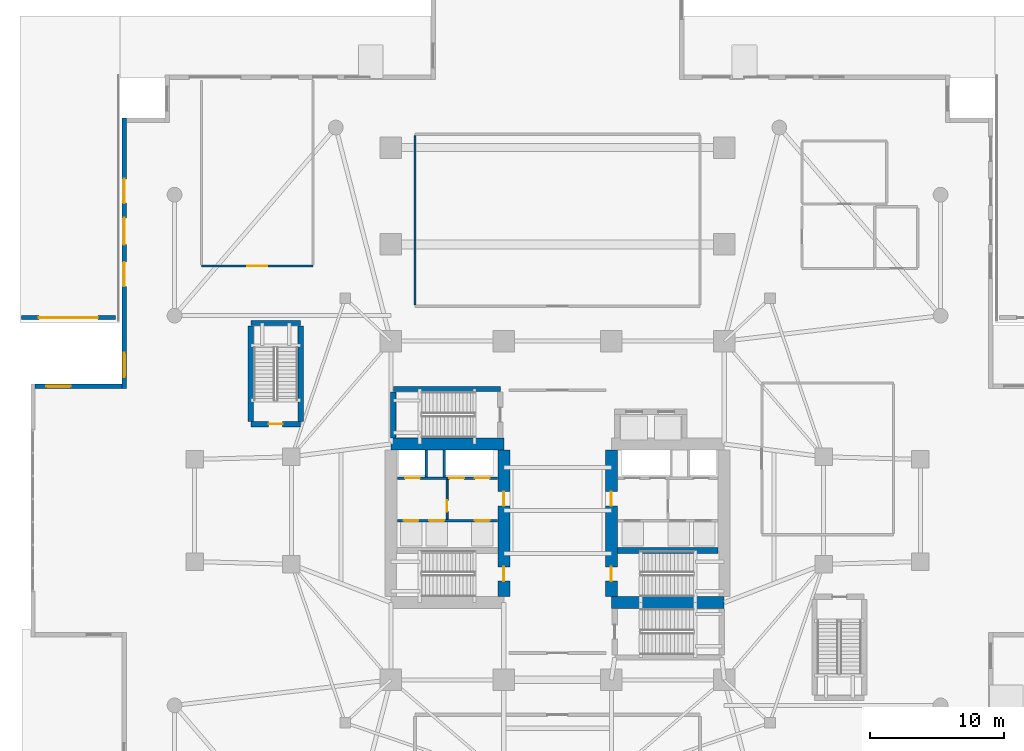
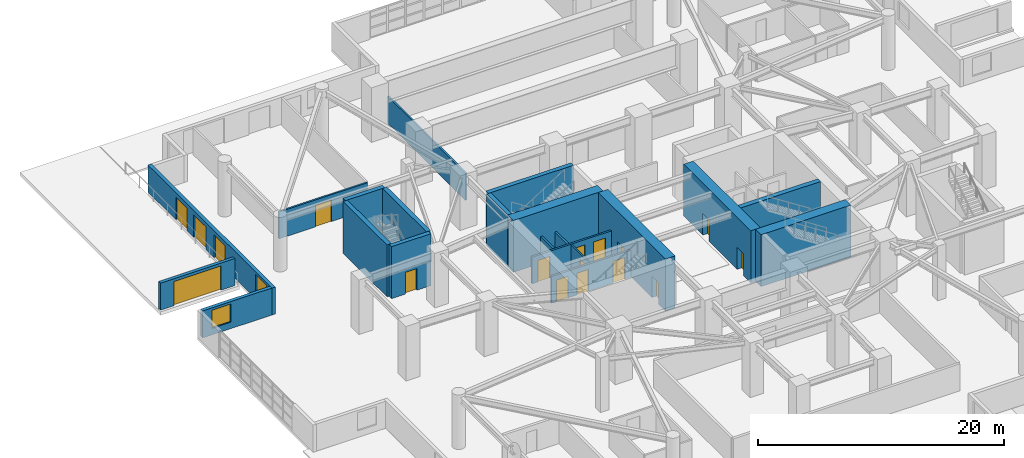
# One storey, part 14 of 24: 21 walls, 17 doors, 2 windows, 19 openings.
"""IFC4 building model written with IfcOpenShell, lengths in metres."""

from ifc_helpers import new_model, si_unit, direction, frame, frame_2d, origin, place, context, subcontext, project, spatial, rectangle, extrude, material, layer, layer_set, type_object, element, fill, save


model = new_model("IFC4")

# Units and contexts
model_context = context("Model", 3, precision=1e-05, world=origin(), true_north=direction((0.0, 1.0)))
body_context = subcontext(model_context, "Body", "Model", "MODEL_VIEW")
ifc_project = project(units=[si_unit("LENGTHUNIT", "METRE"), si_unit("AREAUNIT", "SQUARE_METRE"), si_unit("VOLUMEUNIT", "CUBIC_METRE"), si_unit("PLANEANGLEUNIT", "RADIAN"), si_unit("MASSUNIT", "GRAM", prefix="KILO")], contexts=[model_context])

# Site, building, storey
site_placement = place(None, origin())
site = spatial("IfcSite", under=ifc_project, at=site_placement, CompositionType="ELEMENT")
building_placement = place(site_placement, origin())
building = spatial("IfcBuilding", under=site, at=building_placement, Name="Qingluan Cross Belvedere", CompositionType="ELEMENT")
storey_placement = place(building_placement, origin())
storey = spatial("IfcBuildingStorey", under=building, at=storey_placement, Name="L01", CompositionType="ELEMENT", Elevation=0.0)

# Walls
ifc_material_1 = material(Name="Concrete C50", Category="concrete")
ifc_layer_1 = layer(ifc_material_1, 0.449951171875, Name="CoreShearWall_450")
ifc_layer_set_1 = layer_set([ifc_layer_1], Name="Concrete C50")
wall_type_1 = type_object("IfcWallType", Name="CoreShearWall_450", PredefinedType="SHEAR", material=ifc_layer_set_1)
wall_1_placement = place(storey_placement, frame((4.455078125, -2.9599609375, 0.0), z_axis=(0.0, 0.0, 1.0), x_axis=(1.0, 0.0, 0.0)))
element("IfcWall", 1, at=wall_1_placement, inside=storey, type_object=wall_type_1, Name="Split core E shear wall L01-M", PredefinedType="SHEAR", context=body_context, shape_type="SweptSolid", body=[
    extrude(rectangle(XDim=7.489990234375, YDim=0.449951171875, at=frame_2d((3.7451171875, 0.0))), origin(), (0.0, 0.0, 1.0), 5.14990234375),
])
wall_2_placement = place(storey_placement, frame((-12.219970703125, 9.0400390625, 0.0), z_axis=(0.0, 0.0, 1.0), x_axis=(1.0, 0.0, 0.0)))
element("IfcWall", 2, at=wall_2_placement, inside=storey, type_object=wall_type_1, Name="Stair ST3 structural wall N L01", PredefinedType="SHEAR", context=body_context, shape_type="SweptSolid", body=[
    extrude(rectangle(XDim=7.9599609375, YDim=0.39990234375, at=frame_2d((3.97998046875, 0.0))), origin(), (0.0, 0.0, 1.0), 5.14990234375),
])
wall_3_placement = place(storey_placement, frame((-12.219970703125, 5.405029296875, 0.0), z_axis=(0.0, 0.0, 1.0), x_axis=(0.0, 1.0, 0.0)))
element("IfcWall", 3, at=wall_3_placement, inside=storey, type_object=wall_type_1, Name="Stair ST3 structural wall W L01", PredefinedType="SHEAR", context=body_context, shape_type="SweptSolid", body=[
    extrude(rectangle(XDim=3.429931640625, YDim=0.39990234375, at=frame_2d((1.71484375, 0.0))), origin(), (0.0, 0.0, 1.0), 5.14990234375),
])
wall_4_placement = place(storey_placement, frame((-22.820068359375, 13.949951171875, 0.0), z_axis=(0.0, 0.0, 1.0), x_axis=(1.0, 0.0, 0.0)))
element("IfcWall", 4, at=wall_4_placement, inside=storey, type_object=wall_type_1, Name="Stair ST5 structural wall N L01", PredefinedType="SHEAR", context=body_context, shape_type="SweptSolid", body=[
    extrude(rectangle(XDim=3.699951171875, YDim=0.39990234375, at=frame_2d((1.85009765625, 0.0))), origin(), (0.0, 0.0, 1.0), 5.14990234375),
])

# Wall, opening, door
wall_5_placement = place(storey_placement, frame((-22.820068359375, 6.429931640625, 0.0), z_axis=(0.0, 0.0, 1.0), x_axis=(1.0, 0.0, 0.0)))
wall_5 = element("IfcWall", 5, at=wall_5_placement, inside=storey, type_object=wall_type_1, Name="Stair ST5 structural wall S L01", PredefinedType="SHEAR", context=body_context, shape_type="SweptSolid", body=[
    extrude(rectangle(XDim=3.699951171875, YDim=0.39990234375, at=frame_2d((1.85009765625, 0.0))), origin(), (0.0, 0.0, 1.0), 5.14990234375),
])
opening_1_placement = place(wall_5_placement, frame((1.320068359375, 0.0, 0.0)))
opening_1 = element("IfcOpeningElement", 6, at=opening_1_placement, cuts=wall_5, Name="Opening FD-B11", PredefinedType="OPENING", context=body_context, shape_type="SweptSolid", body=[
    extrude(rectangle(XDim=1.050048828125, YDim=2.14990234375, at=frame_2d((0.52490234375, 1.074951171875))), frame((0.0, 0.2099609375, 0.0), z_axis=(0.0, -1.0, 0.0), x_axis=(1.0, 0.0, 0.0)), (0.0, 0.0, 1.0), 0.419921875),
])
ifc_material_2 = material(Name="Steel Class B smoke-seal fire door", Category="steel")
door_type_1 = type_object("IfcDoorType", Name="StairLobbyFireDoor_FDB", OperationType="NOTDEFINED", PredefinedType="DOOR", material=ifc_material_2)
door_1_placement = place(opening_1_placement, origin())
door_1 = element("IfcDoor", 7, at=door_1_placement, inside=storey, type_object=door_type_1, Name="Podium stair ST5 smoke-proof fire door L01", OperationType="SINGLE_SWING_RIGHT", OverallHeight=2.14990234375, OverallWidth=1.050048828125, PredefinedType="DOOR", context=body_context, shape_type="SweptSolid", body=[
    extrude(rectangle(XDim=1.050048828125, YDim=2.14990234375, at=frame_2d((0.52490234375, 1.074951171875))), frame((0.0, 0.02490234375, 0.0), z_axis=(0.0, -1.0, 0.0), x_axis=(1.0, 0.0, 0.0)), (0.0, 0.0, 1.0), 0.050048828125),
])
fill(opening_1, door_1)

# Walls
for number, where, z_axis, x_axis, name in (
    (8, (-22.820068359375, 6.635009765625, 0.0), (0.0, 0.0, 1.0), (0.0, 1.0, 0.0), "Stair ST5 structural wall W L01"),
    (9, (-19.1201171875, 6.635009765625, 0.0), (0.0, 0.0, 1.0), (0.0, 1.0, 0.0), "Stair ST5 structural wall E L01"),
):
    element("IfcWall", number, at=place(storey_placement, frame(where, z_axis=z_axis, x_axis=x_axis)), inside=storey, type_object=wall_type_1, Name=name, PredefinedType="SHEAR", context=body_context, shape_type="SweptSolid", body=[
        extrude(rectangle(XDim=7.110107421875, YDim=0.39990234375, at=frame_2d((3.55517578125, 0.0))), origin(), (0.0, 0.0, 1.0), 5.14990234375),
    ])
ifc_material_3 = material(Name="Concrete C70", Category="concrete")
ifc_layer_2 = layer(ifc_material_3, 0.89990234375, Name="CoreShearWall_900")
ifc_layer_set_2 = layer_set([ifc_layer_2], Name="Concrete C70")
wall_type_2 = type_object("IfcWallType", Name="CoreShearWall_900", PredefinedType="SHEAR", material=ifc_layer_set_2)
wall_6_placement = place(storey_placement, frame((-12.39990234375, 4.949951171875, 0.0), z_axis=(0.0, 0.0, 1.0), x_axis=(1.0, 0.0, 0.0)))
element("IfcWall", 10, at=wall_6_placement, inside=storey, type_object=wall_type_2, Name="Split core W shear wall L01-N", PredefinedType="SHEAR", context=body_context, shape_type="SweptSolid", body=[
    extrude(rectangle(XDim=8.39990234375, YDim=0.89990234375, at=frame_2d((4.199951171875, 0.0))), origin(), (0.0, 0.0, 1.0), 5.14990234375),
])

# Wall, openings, doors
wall_7_placement = place(storey_placement, frame((-4.0, -6.39501953125, 0.0), z_axis=(0.0, 0.0, 1.0), x_axis=(0.0, 1.0, 0.0)))
wall_7 = element("IfcWall", 11, at=wall_7_placement, inside=storey, type_object=wall_type_2, Name="Split core W shear wall L01-E", PredefinedType="SHEAR", context=body_context, shape_type="SweptSolid", body=[
    extrude(rectangle(XDim=10.89013671875, YDim=0.89990234375, at=frame_2d((5.445068359375, 0.0))), origin(), (0.0, 0.0, 1.0), 5.14990234375),
])
opening_2_placement = place(wall_7_placement, frame((1.14501953125, 0.0, 0.0)))
opening_2 = element("IfcOpeningElement", 12, at=opening_2_placement, cuts=wall_7, Name="Opening FD-B11", PredefinedType="OPENING", context=body_context, shape_type="SweptSolid", body=[
    extrude(rectangle(XDim=1.050048828125, YDim=2.14990234375, at=frame_2d((0.52490234375, 1.074951171875))), frame((0.0, 0.4599609375, 0.0), z_axis=(0.0, -1.0, 0.0), x_axis=(1.0, 0.0, 0.0)), (0.0, 0.0, 1.0), 0.919921875),
])
opening_3_placement = place(wall_7_placement, frame((6.7451171875, 0.0, 0.0)))
opening_3 = element("IfcOpeningElement", 13, at=opening_3_placement, cuts=wall_7, Name="Opening FD-B11", PredefinedType="OPENING", context=body_context, shape_type="SweptSolid", body=[
    extrude(rectangle(XDim=1.050048828125, YDim=2.14990234375, at=frame_2d((0.52490234375, 1.074951171875))), frame((0.0, 0.4599609375, 0.0), z_axis=(0.0, -1.0, 0.0), x_axis=(1.0, 0.0, 0.0)), (0.0, 0.0, 1.0), 0.919921875),
])
door_2_placement = place(opening_2_placement, origin())
door_2 = element("IfcDoor", 14, at=door_2_placement, inside=storey, type_object=door_type_1, Name="Smoke-proof stair ST1 fire door L01", OperationType="SINGLE_SWING_RIGHT", OverallHeight=2.14990234375, OverallWidth=1.050048828125, PredefinedType="DOOR", context=body_context, shape_type="SweptSolid", body=[
    extrude(rectangle(XDim=1.050048828125, YDim=2.14990234375, at=frame_2d((0.52490234375, 1.074951171875))), frame((0.0, 0.02490234375, 0.0), z_axis=(0.0, -1.0, 0.0), x_axis=(1.0, 0.0, 0.0)), (0.0, 0.0, 1.0), 0.050048828125),
])
fill(opening_2, door_2)
door_3_placement = place(opening_3_placement, origin())
door_3 = element("IfcDoor", 15, at=door_3_placement, inside=storey, type_object=door_type_1, Name="Firefighting lobby West fire door L01", OperationType="SINGLE_SWING_RIGHT", OverallHeight=2.14990234375, OverallWidth=1.050048828125, PredefinedType="DOOR", context=body_context, shape_type="SweptSolid", body=[
    extrude(rectangle(XDim=1.050048828125, YDim=2.14990234375, at=frame_2d((0.52490234375, 1.074951171875))), frame((0.0, 0.02490234375, 0.0), z_axis=(0.0, -1.0, 0.0), x_axis=(1.0, 0.0, 0.0)), (0.0, 0.0, 1.0), 0.050048828125),
])
fill(opening_3, door_3)

# Wall
wall_8_placement = place(storey_placement, frame((4.0, -6.85009765625, 0.0), z_axis=(0.0, 0.0, 1.0), x_axis=(1.0, 0.0, 0.0)))
element("IfcWall", 16, at=wall_8_placement, inside=storey, type_object=wall_type_2, Name="Split core E shear wall L01-S", PredefinedType="SHEAR", context=body_context, shape_type="SweptSolid", body=[
    extrude(rectangle(XDim=8.39990234375, YDim=0.89990234375, at=frame_2d((4.199951171875, 0.0))), origin(), (0.0, 0.0, 1.0), 5.14990234375),
])

# Wall, openings, doors
wall_9_placement = place(storey_placement, frame((4.0, -6.39501953125, 0.0), z_axis=(0.0, 0.0, 1.0), x_axis=(0.0, 1.0, 0.0)))
wall_9 = element("IfcWall", 17, at=wall_9_placement, inside=storey, type_object=wall_type_2, Name="Split core E shear wall L01-W", PredefinedType="SHEAR", context=body_context, shape_type="SweptSolid", body=[
    extrude(rectangle(XDim=10.89013671875, YDim=0.89990234375, at=frame_2d((5.445068359375, 0.0))), origin(), (0.0, 0.0, 1.0), 5.14990234375),
])
opening_4_placement = place(wall_9_placement, frame((1.14501953125, 0.0, 0.0)))
opening_4 = element("IfcOpeningElement", 18, at=opening_4_placement, cuts=wall_9, Name="Opening FD-B11", PredefinedType="OPENING", context=body_context, shape_type="SweptSolid", body=[
    extrude(rectangle(XDim=1.050048828125, YDim=2.14990234375, at=frame_2d((0.52490234375, 1.074951171875))), frame((0.0, 0.4599609375, 0.0), z_axis=(0.0, -1.0, 0.0), x_axis=(1.0, 0.0, 0.0)), (0.0, 0.0, 1.0), 0.919921875),
])
opening_5_placement = place(wall_9_placement, frame((6.7451171875, 0.0, 0.0)))
opening_5 = element("IfcOpeningElement", 19, at=opening_5_placement, cuts=wall_9, Name="Opening FD-B11", PredefinedType="OPENING", context=body_context, shape_type="SweptSolid", body=[
    extrude(rectangle(XDim=1.050048828125, YDim=2.14990234375, at=frame_2d((0.52490234375, 1.074951171875))), frame((0.0, 0.4599609375, 0.0), z_axis=(0.0, -1.0, 0.0), x_axis=(1.0, 0.0, 0.0)), (0.0, 0.0, 1.0), 0.919921875),
])
door_4_placement = place(opening_4_placement, origin())
door_4 = element("IfcDoor", 20, at=door_4_placement, inside=storey, type_object=door_type_1, Name="Smoke-proof stair ST2 fire door L01", OperationType="SINGLE_SWING_LEFT", OverallHeight=2.14990234375, OverallWidth=1.050048828125, PredefinedType="DOOR", context=body_context, shape_type="SweptSolid", body=[
    extrude(rectangle(XDim=1.050048828125, YDim=2.14990234375, at=frame_2d((0.52490234375, 1.074951171875))), frame((0.0, 0.02490234375, 0.0), z_axis=(0.0, -1.0, 0.0), x_axis=(1.0, 0.0, 0.0)), (0.0, 0.0, 1.0), 0.050048828125),
])
fill(opening_4, door_4)
door_5_placement = place(opening_5_placement, origin())
door_5 = element("IfcDoor", 21, at=door_5_placement, inside=storey, type_object=door_type_1, Name="Firefighting lobby East fire door L01", OperationType="SINGLE_SWING_LEFT", OverallHeight=2.14990234375, OverallWidth=1.050048828125, PredefinedType="DOOR", context=body_context, shape_type="SweptSolid", body=[
    extrude(rectangle(XDim=1.050048828125, YDim=2.14990234375, at=frame_2d((0.52490234375, 1.074951171875))), frame((0.0, 0.02490234375, 0.0), z_axis=(0.0, -1.0, 0.0), x_axis=(1.0, 0.0, 0.0)), (0.0, 0.0, 1.0), 0.050048828125),
])
fill(opening_5, door_5)

# Wall
ifc_material_4 = material(Name="Gypsum plasterboard on steel stud acoustic partition", Category="steel")
ifc_layer_3 = layer(ifc_material_4, 0.159912109375, Name="CorridorPartition_160")
ifc_layer_set_3 = layer_set([ifc_layer_3], Name="Gypsum plasterboard on steel stud acoustic partition")
wall_type_3 = type_object("IfcWallType", Name="CorridorPartition_160", PredefinedType="PARTITIONING", material=ifc_layer_set_3)
wall_10_placement = place(storey_placement, frame((-10.60009765625, 15.284912109375, 0.0), z_axis=(0.0, 0.0, 1.0), x_axis=(0.0, 1.0, 0.0)))
element("IfcWall", 22, at=wall_10_placement, inside=storey, type_object=wall_type_3, Name="Partition L01:grand_ballroom:W", PredefinedType="PARTITIONING", context=body_context, shape_type="SweptSolid", body=[
    extrude(rectangle(XDim=12.630126953125, YDim=0.159912109375, at=frame_2d((6.31494140625, 0.0))), origin(), (0.0, 0.0, 1.0), 2.669921875),
])

# Wall, opening, door
wall_11_placement = place(storey_placement, frame((-26.5, 18.199951171875, 0.0), z_axis=(0.0, 0.0, 1.0), x_axis=(1.0, 0.0, 0.0)))
wall_11 = element("IfcWall", 23, at=wall_11_placement, inside=storey, type_object=wall_type_3, Name="Partition L01:loading_dock:S", PredefinedType="PARTITIONING", context=body_context, shape_type="SweptSolid", body=[
    extrude(rectangle(XDim=8.300048828125, YDim=0.159912109375, at=frame_2d((4.14990234375, 0.0))), origin(), (0.0, 0.0, 1.0), 2.669921875),
])
opening_6_placement = place(wall_11_placement, frame((3.39990234375, 0.0, 0.0)))
opening_6 = element("IfcOpeningElement", 24, at=opening_6_placement, cuts=wall_11, Name="Opening FD-A15", PredefinedType="OPENING", context=body_context, shape_type="SweptSolid", body=[
    extrude(rectangle(XDim=1.5, YDim=2.14990234375, at=frame_2d((0.75, 1.074951171875))), frame((0.0, 0.08984375, 0.0), z_axis=(0.0, -1.0, 0.0), x_axis=(1.0, 0.0, 0.0)), (0.0, 0.0, 1.0), 0.179931640625),
])
ifc_material_5 = material(Name="Insulated steel Class A double fire door", Category="steel")
door_type_2 = type_object("IfcDoorType", Name="PlantDoubleFireDoor_FDA", OperationType="DOUBLE_DOOR_SINGLE_SWING", PredefinedType="DOOR", material=ifc_material_5)
door_6_placement = place(opening_6_placement, origin())
door_6 = element("IfcDoor", 25, at=door_6_placement, inside=storey, type_object=door_type_2, Name="Enclosed goods receiving and loading bay L01 door", OperationType="DOUBLE_DOOR_SINGLE_SWING", OverallHeight=2.14990234375, OverallWidth=1.5, PredefinedType="DOOR", context=body_context, shape_type="SweptSolid", body=[
    extrude(rectangle(XDim=1.5, YDim=2.14990234375, at=frame_2d((0.75, 1.074951171875))), frame((0.0, 0.02490234375, 0.0), z_axis=(0.0, -1.0, 0.0), x_axis=(1.0, 0.0, 0.0)), (0.0, 0.0, 1.0), 0.050048828125),
])
fill(opening_6, door_6)

ifc_material_6 = material(Name="Precast concrete C45", Category="concrete")
ifc_layer_4 = layer(ifc_material_6, 0.320068359375, Name="PrecastPodiumWall_320")
ifc_layer_set_4 = layer_set([ifc_layer_4], Name="Precast concrete C45")
wall_type_4 = type_object("IfcWallType", Name="PrecastPodiumWall_320", PredefinedType="STANDARD", material=ifc_layer_set_4)
wall_12_placement = place(storey_placement, frame((-39.89990234375, 14.35009765625, 0.0), z_axis=(0.0, 0.0, 1.0), x_axis=(1.0, 0.0, 0.0)))
wall_12 = element("IfcWall", 26, at=wall_12_placement, inside=storey, type_object=wall_type_4, Name="West basement ramp portal wall L01", PredefinedType="STANDARD", context=body_context, shape_type="SweptSolid", body=[
    extrude(rectangle(XDim=7.0, YDim=0.300048828125, at=frame_2d((3.5, 0.0))), origin(), (0.0, 0.0, 1.0), 2.679931640625),
])
opening_7_placement = place(wall_12_placement, frame((1.300048828125, 0.0, 0.0)))
opening_7 = element("IfcOpeningElement", 27, at=opening_7_placement, cuts=wall_12, Name="Opening VG-44", PredefinedType="OPENING", context=body_context, shape_type="SweptSolid", body=[
    extrude(rectangle(XDim=4.39990234375, YDim=2.39990234375, at=frame_2d((2.199951171875, 1.199951171875))), frame((0.0, 0.159912109375, 0.0), z_axis=(0.0, -1.0, 0.0), x_axis=(1.0, 0.0, 0.0)), (0.0, 0.0, 1.0), 0.320068359375),
])
ifc_material_7 = material(Name="Insulated galvanized steel roller shutter", Category="steel")
door_type_3 = type_object("IfcDoorType", Name="VehicleRollerGate_4400", OperationType="ROLLINGUP", PredefinedType="GATE", material=ifc_material_7)
door_7_placement = place(opening_7_placement, origin())
door_7 = element("IfcDoor", 28, at=door_7_placement, inside=storey, type_object=door_type_3, Name="Car park ramp roller shutter gate VG-01", OperationType="ROLLINGUP", OverallHeight=2.39990234375, OverallWidth=4.39990234375, PredefinedType="GATE", context=body_context, shape_type="SweptSolid", body=[
    extrude(rectangle(XDim=4.39990234375, YDim=2.39990234375, at=frame_2d((2.199951171875, 1.199951171875))), frame((0.0, 0.02490234375, 0.0), z_axis=(0.0, -1.0, 0.0), x_axis=(1.0, 0.0, 0.0)), (0.0, 0.0, 1.0), 0.050048828125),
])
fill(opening_7, door_7)

# Wall, opening, window
wall_13_placement = place(storey_placement, frame((-38.8798828125, 9.239990234375, 0.0), z_axis=(0.0, 0.0, 1.0), x_axis=(1.0, 0.0, 0.0)))
wall_13 = element("IfcWall", 29, at=wall_13_placement, inside=storey, type_object=wall_type_4, Name="Podium precast facade wall L01-S13", PredefinedType="STANDARD", context=body_context, shape_type="SweptSolid", body=[
    extrude(rectangle(XDim=6.47998046875, YDim=0.320068359375, at=frame_2d((3.239990234375, 0.0))), origin(), (0.0, 0.0, 1.0), 2.679931640625),
])
opening_8_placement = place(wall_13_placement, frame((0.85009765625, 0.0, 0.64990234375)))
opening_8 = element("IfcOpeningElement", 30, at=opening_8_placement, cuts=wall_13, Name="Opening W-06", PredefinedType="OPENING", context=body_context, shape_type="SweptSolid", body=[
    extrude(rectangle(XDim=1.800048828125, YDim=1.800048828125, at=frame_2d((0.89990234375, 0.89990234375))), frame((0.0, 0.169921875, 0.0), z_axis=(0.0, -1.0, 0.0), x_axis=(1.0, 0.0, 0.0)), (0.0, 0.0, 1.0), 0.340087890625),
])
ifc_material_8 = material(Name="Thermally broken triple Low-E glass in aluminium frame", Category="aluminium")
window_type = type_object("IfcWindowType", Name="PodiumGalleryWin_1800x1800", PartitioningType="SINGLE_PANEL", PredefinedType="WINDOW", material=ifc_material_8)
window_1_placement = place(opening_8_placement, origin())
window_1 = element("IfcWindow", 31, at=window_1_placement, inside=storey, type_object=window_type, Name="Podium gallery window L01-S13", OverallHeight=1.800048828125, OverallWidth=1.800048828125, PartitioningType="SINGLE_PANEL", PredefinedType="WINDOW", context=body_context, shape_type="SweptSolid", body=[
    extrude(rectangle(XDim=1.800048828125, YDim=1.800048828125, at=frame_2d((0.89990234375, 0.89990234375))), frame((0.0, 0.030029296875, 0.0), z_axis=(0.0, -1.0, 0.0), x_axis=(1.0, 0.0, 0.0)), (0.0, 0.0, 1.0), 0.06005859375),
])
fill(opening_8, window_1)

# Wall, openings, doors, window
wall_14_placement = place(storey_placement, frame((-32.239990234375, 9.080078125, 0.0), z_axis=(0.0, 0.0, 1.0), x_axis=(0.0, 1.0, 0.0)))
wall_14 = element("IfcWall", 32, at=wall_14_placement, inside=storey, type_object=wall_type_4, Name="Podium precast facade wall L01-S14", PredefinedType="STANDARD", context=body_context, shape_type="SweptSolid", body=[
    extrude(rectangle(XDim=20.119873046875, YDim=0.320068359375, at=frame_2d((10.06005859375, 0.0))), origin(), (0.0, 0.0, 1.0), 2.679931640625),
])
opening_9_placement = place(wall_14_placement, frame((7.60009765625, 0.0, 0.0)))
opening_9 = element("IfcOpeningElement", 33, at=opening_9_placement, cuts=wall_14, Name="Opening ED-18", PredefinedType="OPENING", context=body_context, shape_type="SweptSolid", body=[
    extrude(rectangle(XDim=1.800048828125, YDim=2.25, at=frame_2d((0.89990234375, 1.125))), frame((0.0, 0.169921875, 0.0), z_axis=(0.0, -1.0, 0.0), x_axis=(1.0, 0.0, 0.0)), (0.0, 0.0, 1.0), 0.340087890625),
])
opening_10_placement = place(wall_14_placement, frame((10.699951171875, 0.0, 0.0)))
opening_10 = element("IfcOpeningElement", 34, at=opening_10_placement, cuts=wall_14, Name="Opening ED-20", PredefinedType="OPENING", context=body_context, shape_type="SweptSolid", body=[
    extrude(rectangle(XDim=2.0, YDim=2.25, at=frame_2d((1.0, 1.125))), frame((0.0, 0.169921875, 0.0), z_axis=(0.0, -1.0, 0.0), x_axis=(1.0, 0.0, 0.0)), (0.0, 0.0, 1.0), 0.340087890625),
])
opening_11_placement = place(wall_14_placement, frame((13.800048828125, 0.0, 0.0)))
opening_11 = element("IfcOpeningElement", 35, at=opening_11_placement, cuts=wall_14, Name="Opening ED-18", PredefinedType="OPENING", context=body_context, shape_type="SweptSolid", body=[
    extrude(rectangle(XDim=1.800048828125, YDim=2.25, at=frame_2d((0.89990234375, 1.125))), frame((0.0, 0.169921875, 0.0), z_axis=(0.0, -1.0, 0.0), x_axis=(1.0, 0.0, 0.0)), (0.0, 0.0, 1.0), 0.340087890625),
])
opening_12_placement = place(wall_14_placement, frame((0.85009765625, 0.0, 0.64990234375)))
opening_12 = element("IfcOpeningElement", 36, at=opening_12_placement, cuts=wall_14, Name="Opening W-06", PredefinedType="OPENING", context=body_context, shape_type="SweptSolid", body=[
    extrude(rectangle(XDim=1.800048828125, YDim=1.800048828125, at=frame_2d((0.89990234375, 0.89990234375))), frame((0.0, 0.169921875, 0.0), z_axis=(0.0, -1.0, 0.0), x_axis=(1.0, 0.0, 0.0)), (0.0, 0.0, 1.0), 0.340087890625),
])
ifc_material_9 = material(Name="Anodised aluminium and toughened safety glass", Category="aluminium")
door_type_4 = type_object("IfcDoorType", Name="GroundExitDoubleDoor_1800", OperationType="DOUBLE_DOOR_SINGLE_SWING", PredefinedType="DOOR", material=ifc_material_9)
door_8_placement = place(opening_9_placement, origin())
door_8 = element("IfcDoor", 37, at=door_8_placement, inside=storey, type_object=door_type_4, Name="Ground pedestrian final exit door ED-10", OperationType="DOUBLE_DOOR_SINGLE_SWING", OverallHeight=2.25, OverallWidth=1.800048828125, PredefinedType="DOOR", context=body_context, shape_type="SweptSolid", body=[
    extrude(rectangle(XDim=1.800048828125, YDim=2.25, at=frame_2d((0.89990234375, 1.125))), frame((0.0, 0.02490234375, 0.0), z_axis=(0.0, -1.0, 0.0), x_axis=(1.0, 0.0, 0.0)), (0.0, 0.0, 1.0), 0.050048828125),
])
fill(opening_9, door_8)
door_9_placement = place(opening_11_placement, origin())
door_9 = element("IfcDoor", 38, at=door_9_placement, inside=storey, type_object=door_type_4, Name="Ground pedestrian final exit door ED-12", OperationType="DOUBLE_DOOR_SINGLE_SWING", OverallHeight=2.25, OverallWidth=1.800048828125, PredefinedType="DOOR", context=body_context, shape_type="SweptSolid", body=[
    extrude(rectangle(XDim=1.800048828125, YDim=2.25, at=frame_2d((0.89990234375, 1.125))), frame((0.0, 0.02490234375, 0.0), z_axis=(0.0, -1.0, 0.0), x_axis=(1.0, 0.0, 0.0)), (0.0, 0.0, 1.0), 0.050048828125),
])
fill(opening_11, door_9)
ifc_material_10 = material(Name="Anodised aluminium and toughened safety glass", Category="aluminium")
door_type_5 = type_object("IfcDoorType", Name="GroundExitDoubleDoor_2000", OperationType="DOUBLE_DOOR_SINGLE_SWING", PredefinedType="DOOR", material=ifc_material_10)
door_10_placement = place(opening_10_placement, origin())
door_10 = element("IfcDoor", 39, at=door_10_placement, inside=storey, type_object=door_type_5, Name="Ground pedestrian final exit door ED-11", OperationType="DOUBLE_DOOR_SINGLE_SWING", OverallHeight=2.25, OverallWidth=2.0, PredefinedType="DOOR", context=body_context, shape_type="SweptSolid", body=[
    extrude(rectangle(XDim=2.0, YDim=2.25, at=frame_2d((1.0, 1.125))), frame((0.0, 0.02490234375, 0.0), z_axis=(0.0, -1.0, 0.0), x_axis=(1.0, 0.0, 0.0)), (0.0, 0.0, 1.0), 0.050048828125),
])
fill(opening_10, door_10)
window_2_placement = place(opening_12_placement, origin())
window_2 = element("IfcWindow", 40, at=window_2_placement, inside=storey, type_object=window_type, Name="Podium gallery window L01-S14", OverallHeight=1.800048828125, OverallWidth=1.800048828125, PartitioningType="SINGLE_PANEL", PredefinedType="WINDOW", context=body_context, shape_type="SweptSolid", body=[
    extrude(rectangle(XDim=1.800048828125, YDim=1.800048828125, at=frame_2d((0.89990234375, 0.89990234375))), frame((0.0, 0.030029296875, 0.0), z_axis=(0.0, -1.0, 0.0), x_axis=(1.0, 0.0, 0.0)), (0.0, 0.0, 1.0), 0.06005859375),
])
fill(opening_12, window_2)

# Wall, openings, doors
ifc_material_11 = material(Name="Concrete C40", Category="concrete")
ifc_layer_5 = layer(ifc_material_11, 0.219970703125, Name="ShaftEnclosureWall_250")
ifc_layer_set_5 = layer_set([ifc_layer_5], Name="Concrete C40")
wall_type_5 = type_object("IfcWallType", Name="ShaftEnclosureWall_250", PredefinedType="SOLIDWALL", material=ifc_layer_set_5)
wall_15_placement = place(storey_placement, frame((-11.89990234375, 2.409912109375, 0.0), z_axis=(0.0, 0.0, 1.0), x_axis=(1.0, 0.0, 0.0)))
wall_15 = element("IfcWall", 41, at=wall_15_placement, inside=storey, type_object=wall_type_5, Name="Core-W north hoistway wall L01", PredefinedType="SOLIDWALL", context=body_context, shape_type="SweptSolid", body=[
    extrude(rectangle(XDim=7.419921875, YDim=0.179931640625, at=frame_2d((3.7099609375, 0.0))), origin(), (0.0, 0.0, 1.0), 2.669921875),
])
opening_13_placement = place(wall_15_placement, frame((0.550048828125, 0.0, 0.0)))
opening_13 = element("IfcOpeningElement", 42, at=opening_13_placement, cuts=wall_15, Name="Opening LD-11", PredefinedType="OPENING", context=body_context, shape_type="SweptSolid", body=[
    extrude(rectangle(XDim=1.10009765625, YDim=2.14990234375, at=frame_2d((0.550048828125, 1.074951171875))), frame((0.0, 0.099853515625, 0.0), z_axis=(0.0, -1.0, 0.0), x_axis=(1.0, 0.0, 0.0)), (0.0, 0.0, 1.0), 0.199951171875),
])
opening_14_placement = place(wall_15_placement, frame((3.85009765625, 0.0, 0.0)))
opening_14 = element("IfcOpeningElement", 43, at=opening_14_placement, cuts=wall_15, Name="Opening LD-11", PredefinedType="OPENING", context=body_context, shape_type="SweptSolid", body=[
    extrude(rectangle(XDim=1.10009765625, YDim=2.14990234375, at=frame_2d((0.550048828125, 1.074951171875))), frame((0.0, 0.099853515625, 0.0), z_axis=(0.0, -1.0, 0.0), x_axis=(1.0, 0.0, 0.0)), (0.0, 0.0, 1.0), 0.199951171875),
])
opening_15_placement = place(wall_15_placement, frame((5.75, 0.0, 0.0)))
opening_15 = element("IfcOpeningElement", 44, at=opening_15_placement, cuts=wall_15, Name="Opening LD-11", PredefinedType="OPENING", context=body_context, shape_type="SweptSolid", body=[
    extrude(rectangle(XDim=1.10009765625, YDim=2.14990234375, at=frame_2d((0.550048828125, 1.074951171875))), frame((0.0, 0.099853515625, 0.0), z_axis=(0.0, -1.0, 0.0), x_axis=(1.0, 0.0, 0.0)), (0.0, 0.0, 1.0), 0.199951171875),
])
ifc_material_12 = material(Name="Brushed stainless steel centre-opening lift landing door", Category="steel")
door_type_6 = type_object("IfcDoorType", Name="LiftLandingSlidingDoor_1100", OperationType="DOUBLE_DOOR_SLIDING", PredefinedType="DOOR", material=ifc_material_12)
door_11_placement = place(opening_13_placement, origin())
door_11 = element("IfcDoor", 45, at=door_11_placement, inside=storey, type_object=door_type_6, Name="Lift landing sliding door FL1 L01", OperationType="DOUBLE_DOOR_SLIDING", OverallHeight=2.14990234375, OverallWidth=1.10009765625, PredefinedType="DOOR", context=body_context, shape_type="SweptSolid", body=[
    extrude(rectangle(XDim=1.10009765625, YDim=2.14990234375, at=frame_2d((0.550048828125, 1.074951171875))), frame((0.0, 0.02490234375, 0.0), z_axis=(0.0, -1.0, 0.0), x_axis=(1.0, 0.0, 0.0)), (0.0, 0.0, 1.0), 0.050048828125),
])
fill(opening_13, door_11)
door_12_placement = place(opening_14_placement, origin())
door_12 = element("IfcDoor", 46, at=door_12_placement, inside=storey, type_object=door_type_6, Name="Lift landing sliding door LP1 L01", OperationType="DOUBLE_DOOR_SLIDING", OverallHeight=2.14990234375, OverallWidth=1.10009765625, PredefinedType="DOOR", context=body_context, shape_type="SweptSolid", body=[
    extrude(rectangle(XDim=1.10009765625, YDim=2.14990234375, at=frame_2d((0.550048828125, 1.074951171875))), frame((0.0, 0.02490234375, 0.0), z_axis=(0.0, -1.0, 0.0), x_axis=(1.0, 0.0, 0.0)), (0.0, 0.0, 1.0), 0.050048828125),
])
fill(opening_14, door_12)
door_13_placement = place(opening_15_placement, origin())
door_13 = element("IfcDoor", 47, at=door_13_placement, inside=storey, type_object=door_type_6, Name="Lift landing sliding door LP2 L01", OperationType="DOUBLE_DOOR_SLIDING", OverallHeight=2.14990234375, OverallWidth=1.10009765625, PredefinedType="DOOR", context=body_context, shape_type="SweptSolid", body=[
    extrude(rectangle(XDim=1.10009765625, YDim=2.14990234375, at=frame_2d((0.550048828125, 1.074951171875))), frame((0.0, 0.02490234375, 0.0), z_axis=(0.0, -1.0, 0.0), x_axis=(1.0, 0.0, 0.0)), (0.0, 0.0, 1.0), 0.050048828125),
])
fill(opening_15, door_13)

wall_16_placement = place(storey_placement, frame((-11.89990234375, -0.75, 0.0), z_axis=(0.0, 0.0, 1.0), x_axis=(1.0, 0.0, 0.0)))
wall_16 = element("IfcWall", 48, at=wall_16_placement, inside=storey, type_object=wall_type_5, Name="Core-W mid hoistway wall L01", PredefinedType="SOLIDWALL", context=body_context, shape_type="SweptSolid", body=[
    extrude(rectangle(XDim=7.419921875, YDim=0.179931640625, at=frame_2d((3.7099609375, 0.0))), origin(), (0.0, 0.0, 1.0), 2.669921875),
])
opening_16_placement = place(wall_16_placement, frame((0.449951171875, 0.0, 0.0)))
opening_16 = element("IfcOpeningElement", 49, at=opening_16_placement, cuts=wall_16, Name="Opening LD-11", PredefinedType="OPENING", context=body_context, shape_type="SweptSolid", body=[
    extrude(rectangle(XDim=1.10009765625, YDim=2.14990234375, at=frame_2d((0.550048828125, 1.074951171875))), frame((0.0, 0.099853515625, 0.0), z_axis=(0.0, -1.0, 0.0), x_axis=(1.0, 0.0, 0.0)), (0.0, 0.0, 1.0), 0.199951171875),
])
opening_17_placement = place(wall_16_placement, frame((2.35009765625, 0.0, 0.0)))
opening_17 = element("IfcOpeningElement", 50, at=opening_17_placement, cuts=wall_16, Name="Opening LD-11", PredefinedType="OPENING", context=body_context, shape_type="SweptSolid", body=[
    extrude(rectangle(XDim=1.10009765625, YDim=2.14990234375, at=frame_2d((0.550048828125, 1.074951171875))), frame((0.0, 0.099853515625, 0.0), z_axis=(0.0, -1.0, 0.0), x_axis=(1.0, 0.0, 0.0)), (0.0, 0.0, 1.0), 0.199951171875),
])
opening_18_placement = place(wall_16_placement, frame((5.75, 0.0, 0.0)))
opening_18 = element("IfcOpeningElement", 51, at=opening_18_placement, cuts=wall_16, Name="Opening LD-11", PredefinedType="OPENING", context=body_context, shape_type="SweptSolid", body=[
    extrude(rectangle(XDim=1.10009765625, YDim=2.14990234375, at=frame_2d((0.550048828125, 1.074951171875))), frame((0.0, 0.099853515625, 0.0), z_axis=(0.0, -1.0, 0.0), x_axis=(1.0, 0.0, 0.0)), (0.0, 0.0, 1.0), 0.199951171875),
])
door_14_placement = place(opening_16_placement, origin())
door_14 = element("IfcDoor", 52, at=door_14_placement, inside=storey, type_object=door_type_6, Name="Lift landing sliding door LP5 L01", OperationType="DOUBLE_DOOR_SLIDING", OverallHeight=2.14990234375, OverallWidth=1.10009765625, PredefinedType="DOOR", context=body_context, shape_type="SweptSolid", body=[
    extrude(rectangle(XDim=1.10009765625, YDim=2.14990234375, at=frame_2d((0.550048828125, 1.074951171875))), frame((0.0, 0.02490234375, 0.0), z_axis=(0.0, -1.0, 0.0), x_axis=(1.0, 0.0, 0.0)), (0.0, 0.0, 1.0), 0.050048828125),
])
fill(opening_16, door_14)
door_15_placement = place(opening_17_placement, origin())
door_15 = element("IfcDoor", 53, at=door_15_placement, inside=storey, type_object=door_type_6, Name="Lift landing sliding door LP6 L01", OperationType="DOUBLE_DOOR_SLIDING", OverallHeight=2.14990234375, OverallWidth=1.10009765625, PredefinedType="DOOR", context=body_context, shape_type="SweptSolid", body=[
    extrude(rectangle(XDim=1.10009765625, YDim=2.14990234375, at=frame_2d((0.550048828125, 1.074951171875))), frame((0.0, 0.02490234375, 0.0), z_axis=(0.0, -1.0, 0.0), x_axis=(1.0, 0.0, 0.0)), (0.0, 0.0, 1.0), 0.050048828125),
])
fill(opening_17, door_15)
door_16_placement = place(opening_18_placement, origin())
door_16 = element("IfcDoor", 54, at=door_16_placement, inside=storey, type_object=door_type_6, Name="Lift landing sliding door LP8 L01", OperationType="DOUBLE_DOOR_SLIDING", OverallHeight=2.14990234375, OverallWidth=1.10009765625, PredefinedType="DOOR", context=body_context, shape_type="SweptSolid", body=[
    extrude(rectangle(XDim=1.10009765625, YDim=2.14990234375, at=frame_2d((0.550048828125, 1.074951171875))), frame((0.0, 0.02490234375, 0.0), z_axis=(0.0, -1.0, 0.0), x_axis=(1.0, 0.0, 0.0)), (0.0, 0.0, 1.0), 0.050048828125),
])
fill(opening_18, door_16)

# Walls
for number, where, z_axis, x_axis, name in (
    (55, (-9.760009765625, 2.5, 0.0), (0.0, 0.0, 1.0), (0.0, 1.0, 0.0), "Hoistway enclosure divider FL1E L01"),
    (56, (-8.43994140625, 2.5, 0.0), (0.0, 0.0, 1.0), (0.0, 1.0, 0.0), "Hoistway enclosure divider LP1W L01"),
):
    element("IfcWall", number, at=place(storey_placement, frame(where, z_axis=z_axis, x_axis=x_axis)), inside=storey, type_object=wall_type_5, Name=name, PredefinedType="SOLIDWALL", context=body_context, shape_type="SweptSolid", body=[
        extrude(rectangle(XDim=1.989990234375, YDim=0.179931640625, at=frame_2d((0.9951171875, 0.0))), origin(), (0.0, 0.0, 1.0), 2.669921875),
    ])

# Wall, opening, door
wall_17_placement = place(storey_placement, frame((-8.219970703125, -0.64990234375, 0.0), z_axis=(0.0, 0.0, 1.0), x_axis=(0.0, 1.0, 0.0)))
wall_17 = element("IfcWall", 57, at=wall_17_placement, inside=storey, type_object=wall_type_5, Name="Core-W service corridor wall L01", PredefinedType="SOLIDWALL", context=body_context, shape_type="SweptSolid", body=[
    extrude(rectangle(XDim=2.9599609375, YDim=0.139892578125, at=frame_2d((1.47998046875, 0.0))), origin(), (0.0, 0.0, 1.0), 2.669921875),
])
opening_19_placement = place(wall_17_placement, frame((0.550048828125, 0.0, 0.0)))
opening_19 = element("IfcOpeningElement", 58, at=opening_19_placement, cuts=wall_17, Name="Opening FD-B10", PredefinedType="OPENING", context=body_context, shape_type="SweptSolid", body=[
    extrude(rectangle(XDim=0.8798828125, YDim=2.10009765625, at=frame_2d((0.43994140625, 1.050048828125))), frame((0.0, 0.079833984375, 0.0), z_axis=(0.0, -1.0, 0.0), x_axis=(1.0, 0.0, 0.0)), (0.0, 0.0, 1.0), 0.159912109375),
])
ifc_material_13 = material(Name="Steel Class B service fire door", Category="steel")
door_type_7 = type_object("IfcDoorType", Name="RiserServiceFireDoor_FDB", OperationType="NOTDEFINED", PredefinedType="DOOR", material=ifc_material_13)
door_17_placement = place(opening_19_placement, origin())
door_17 = element("IfcDoor", 59, at=door_17_placement, inside=storey, type_object=door_type_7, Name="Core-W service room door L01", OperationType="SINGLE_SWING_RIGHT", OverallHeight=2.10009765625, OverallWidth=0.8798828125, PredefinedType="DOOR", context=body_context, shape_type="SweptSolid", body=[
    extrude(rectangle(XDim=0.8798828125, YDim=2.10009765625, at=frame_2d((0.43994140625, 1.050048828125))), frame((0.0, 0.02490234375, 0.0), z_axis=(0.0, -1.0, 0.0), x_axis=(1.0, 0.0, 0.0)), (0.0, 0.0, 1.0), 0.050048828125),
])
fill(opening_19, door_17)

save(model, "model.ifc")
